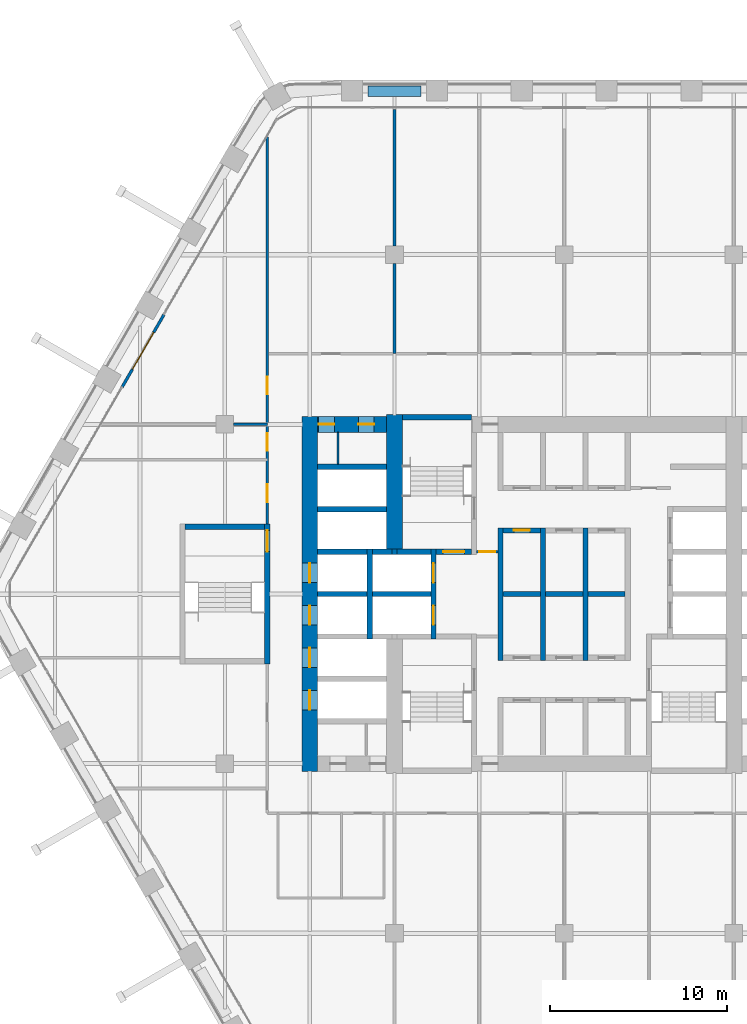
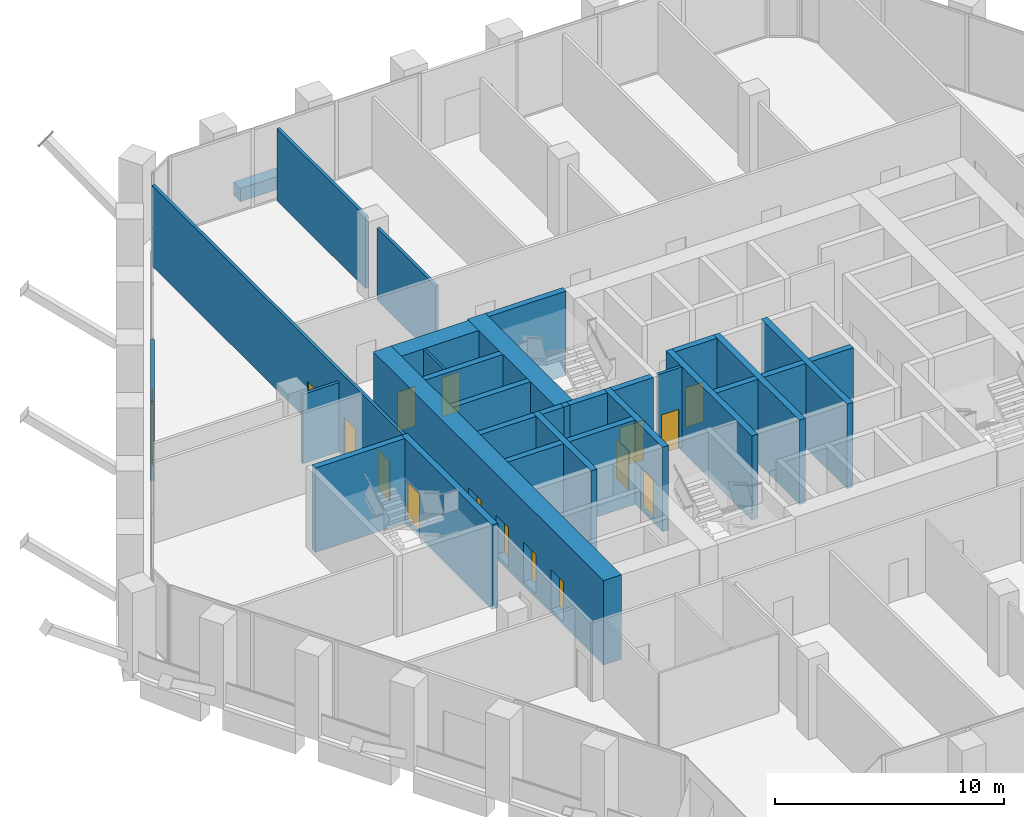
# One storey, part 17 of 27: 32 walls, 16 doors, 16 openings.
"""IFC4 building model written with IfcOpenShell, lengths in metres."""

from ifc_helpers import new_model, si_unit, direction, frame, frame_2d, origin, place, context, subcontext, project, spatial, rectangle, extrude, material, layer, layer_set, type_object, element, fill, save


model = new_model("IFC4")

# Units and contexts
model_context = context("Model", 3, precision=1e-05, world=origin(), true_north=direction((0.0, 1.0)))
body_context = subcontext(model_context, "Body", "Model", "MODEL_VIEW")
ifc_project = project(units=[si_unit("LENGTHUNIT", "METRE"), si_unit("AREAUNIT", "SQUARE_METRE"), si_unit("VOLUMEUNIT", "CUBIC_METRE"), si_unit("PLANEANGLEUNIT", "RADIAN"), si_unit("MASSUNIT", "GRAM", prefix="KILO")], contexts=[model_context])

# Site, building, storey
site_placement = place(None, origin())
site = spatial("IfcSite", under=ifc_project, at=site_placement, CompositionType="ELEMENT")
building_placement = place(site_placement, origin())
building = spatial("IfcBuilding", under=site, at=building_placement, Name="Kolab Exchange Tower", CompositionType="ELEMENT")
storey_placement = place(building_placement, frame((0.0, 0.0, 118.39990234375)))
storey = spatial("IfcBuildingStorey", under=building, at=storey_placement, Name="L23", CompositionType="ELEMENT", Elevation=118.39990234375)

# Wall, openings, doors
ifc_material_1 = material(Name="Concrete C70/85", Category="concrete")
ifc_layer_1 = layer(ifc_material_1, 0.89990234375)
ifc_layer_set_1 = layer_set([ifc_layer_1], Name="Concrete C70/85")
wall_type_1 = type_object("IfcWallType", Name="CORE WALL 900 C70/85", PredefinedType="SHEAR", material=ifc_layer_set_1)
wall_1_placement = place(storey_placement, frame((-13.949951171875, 9.60009765625, -0.199951171875), z_axis=(0.0, 0.0, 1.0), x_axis=(1.0, 0.0, 0.0)))
wall_1 = element("IfcWall", 1, at=wall_1_placement, inside=storey, type_object=wall_type_1, Name="wall/L23/core/051", PredefinedType="SHEAR", context=body_context, shape_type="SweptSolid", body=[
    extrude(rectangle(XDim=3.89990234375, YDim=0.89990234375, at=frame_2d((1.949951171875, 0.0))), origin(), (0.0, 0.0, 1.0), 4.5),
])
opening_1_placement = place(wall_1_placement, frame((0.050048828125, 0.0, 0.199951171875)))
opening_1 = element("IfcOpeningElement", 2, at=opening_1_placement, cuts=wall_1, Name="Opening D6-217", PredefinedType="OPENING", context=body_context, shape_type="SweptSolid", body=[
    extrude(rectangle(XDim=0.89990234375, YDim=2.10009765625, at=frame_2d((0.449951171875, 1.050048828125))), frame((0.0, 0.4599609375, 0.0), z_axis=(0.0, -1.0, 0.0), x_axis=(1.0, 0.0, 0.0)), (0.0, 0.0, 1.0), 0.919921875),
])
opening_2_placement = place(wall_1_placement, frame((2.300048828125, 0.0, 0.199951171875)))
opening_2 = element("IfcOpeningElement", 3, at=opening_2_placement, cuts=wall_1, Name="Opening D6-231", PredefinedType="OPENING", context=body_context, shape_type="SweptSolid", body=[
    extrude(rectangle(XDim=0.89990234375, YDim=2.10009765625, at=frame_2d((0.449951171875, 1.050048828125))), frame((0.0, 0.4599609375, 0.0), z_axis=(0.0, -1.0, 0.0), x_axis=(1.0, 0.0, 0.0)), (0.0, 0.0, 1.0), 0.919921875),
])
ifc_material_2 = material(Name="Steel S235", Category="steel")
door_type_1 = type_object("IfcDoorType", Name="CORE DOOR 900 EI 120", OperationType="SINGLE_SWING_LEFT", PredefinedType="DOOR", material=ifc_material_2)
door_1_placement = place(opening_1_placement, frame((0.89990234375, 0.0, 0.0), z_axis=(0.0, 0.0, 1.0), x_axis=(-1.0, 0.0, 0.0)))
door_1 = element("IfcDoor", 4, at=door_1_placement, inside=storey, type_object=door_type_1, Name="Service room door", OperationType="SINGLE_SWING_RIGHT", OverallHeight=2.10009765625, OverallWidth=0.89990234375, PredefinedType="DOOR", context=body_context, shape_type="SweptSolid", body=[
    extrude(rectangle(XDim=0.89990234375, YDim=2.10009765625, at=frame_2d((0.449951171875, 1.050048828125))), frame((0.0, 0.02490234375, 0.0), z_axis=(0.0, -1.0, 0.0), x_axis=(1.0, 0.0, 0.0)), (0.0, 0.0, 1.0), 0.050048828125),
])
fill(opening_1, door_1)
door_2_placement = place(opening_2_placement, frame((0.89990234375, 0.0, 0.0), z_axis=(0.0, 0.0, 1.0), x_axis=(-1.0, 0.0, 0.0)))
door_2 = element("IfcDoor", 5, at=door_2_placement, inside=storey, type_object=door_type_1, Name="Service room door", OperationType="SINGLE_SWING_RIGHT", OverallHeight=2.10009765625, OverallWidth=0.89990234375, PredefinedType="DOOR", context=body_context, shape_type="SweptSolid", body=[
    extrude(rectangle(XDim=0.89990234375, YDim=2.10009765625, at=frame_2d((0.449951171875, 1.050048828125))), frame((0.0, 0.02490234375, 0.0), z_axis=(0.0, -1.0, 0.0), x_axis=(1.0, 0.0, 0.0)), (0.0, 0.0, 1.0), 0.050048828125),
])
fill(opening_2, door_2)

wall_2_placement = place(storey_placement, frame((-14.39990234375, -10.050048828125, -0.199951171875), z_axis=(0.0, 0.0, 1.0), x_axis=(0.0, 1.0, 0.0)))
wall_2 = element("IfcWall", 6, at=wall_2_placement, inside=storey, type_object=wall_type_1, Name="wall/L23/core/057", PredefinedType="SHEAR", context=body_context, shape_type="SweptSolid", body=[
    extrude(rectangle(XDim=20.10009765625, YDim=0.89990234375, at=frame_2d((10.050048828125, 0.0))), origin(), (0.0, 0.0, 1.0), 4.5),
])
opening_3_placement = place(wall_2_placement, frame((3.5, 0.0, 0.199951171875)))
opening_3 = element("IfcOpeningElement", 7, at=opening_3_placement, cuts=wall_2, Name="Opening LD1-073", PredefinedType="OPENING", context=body_context, shape_type="SweptSolid", body=[
    extrude(rectangle(XDim=1.10009765625, YDim=2.10009765625, at=frame_2d((0.550048828125, 1.050048828125))), frame((0.0, 0.4599609375, 0.0), z_axis=(0.0, -1.0, 0.0), x_axis=(1.0, 0.0, 0.0)), (0.0, 0.0, 1.0), 0.919921875),
])
opening_4_placement = place(wall_2_placement, frame((5.89990234375, 0.0, 0.199951171875)))
opening_4 = element("IfcOpeningElement", 8, at=opening_4_placement, cuts=wall_2, Name="Opening LD1-074", PredefinedType="OPENING", context=body_context, shape_type="SweptSolid", body=[
    extrude(rectangle(XDim=1.10009765625, YDim=2.10009765625, at=frame_2d((0.550048828125, 1.050048828125))), frame((0.0, 0.4599609375, 0.0), z_axis=(0.0, -1.0, 0.0), x_axis=(1.0, 0.0, 0.0)), (0.0, 0.0, 1.0), 0.919921875),
])
opening_5_placement = place(wall_2_placement, frame((8.300048828125, 0.0, 0.199951171875)))
opening_5 = element("IfcOpeningElement", 9, at=opening_5_placement, cuts=wall_2, Name="Opening LD1-075", PredefinedType="OPENING", context=body_context, shape_type="SweptSolid", body=[
    extrude(rectangle(XDim=1.10009765625, YDim=2.10009765625, at=frame_2d((0.550048828125, 1.050048828125))), frame((0.0, 0.4599609375, 0.0), z_axis=(0.0, -1.0, 0.0), x_axis=(1.0, 0.0, 0.0)), (0.0, 0.0, 1.0), 0.919921875),
])
opening_6_placement = place(wall_2_placement, frame((10.699951171875, 0.0, 0.199951171875)))
opening_6 = element("IfcOpeningElement", 10, at=opening_6_placement, cuts=wall_2, Name="Opening LD1-076", PredefinedType="OPENING", context=body_context, shape_type="SweptSolid", body=[
    extrude(rectangle(XDim=1.10009765625, YDim=2.10009765625, at=frame_2d((0.550048828125, 1.050048828125))), frame((0.0, 0.4599609375, 0.0), z_axis=(0.0, -1.0, 0.0), x_axis=(1.0, 0.0, 0.0)), (0.0, 0.0, 1.0), 0.919921875),
])
ifc_material_3 = material(Name="Stainless steel 316", Category="steel")
door_type_2 = type_object("IfcDoorType", Name="LANDING DOOR 1100 PASSENGER", OperationType="DOUBLE_DOOR_SLIDING", PredefinedType="DOOR", material=ifc_material_3)
door_3_placement = place(opening_3_placement, origin())
door_3 = element("IfcDoor", 11, at=door_3_placement, inside=storey, type_object=door_type_2, Name="Landing door LR5", OperationType="DOUBLE_DOOR_SLIDING", OverallHeight=2.10009765625, OverallWidth=1.10009765625, PredefinedType="DOOR", context=body_context, shape_type="SweptSolid", body=[
    extrude(rectangle(XDim=1.10009765625, YDim=2.10009765625, at=frame_2d((0.550048828125, 1.050048828125))), frame((0.0, 0.02490234375, 0.0), z_axis=(0.0, -1.0, 0.0), x_axis=(1.0, 0.0, 0.0)), (0.0, 0.0, 1.0), 0.050048828125),
])
fill(opening_3, door_3)
door_4_placement = place(opening_4_placement, origin())
door_4 = element("IfcDoor", 12, at=door_4_placement, inside=storey, type_object=door_type_2, Name="Landing door LR6", OperationType="DOUBLE_DOOR_SLIDING", OverallHeight=2.10009765625, OverallWidth=1.10009765625, PredefinedType="DOOR", context=body_context, shape_type="SweptSolid", body=[
    extrude(rectangle(XDim=1.10009765625, YDim=2.10009765625, at=frame_2d((0.550048828125, 1.050048828125))), frame((0.0, 0.02490234375, 0.0), z_axis=(0.0, -1.0, 0.0), x_axis=(1.0, 0.0, 0.0)), (0.0, 0.0, 1.0), 0.050048828125),
])
fill(opening_4, door_4)
door_5_placement = place(opening_5_placement, origin())
door_5 = element("IfcDoor", 13, at=door_5_placement, inside=storey, type_object=door_type_2, Name="Landing door LR7", OperationType="DOUBLE_DOOR_SLIDING", OverallHeight=2.10009765625, OverallWidth=1.10009765625, PredefinedType="DOOR", context=body_context, shape_type="SweptSolid", body=[
    extrude(rectangle(XDim=1.10009765625, YDim=2.10009765625, at=frame_2d((0.550048828125, 1.050048828125))), frame((0.0, 0.02490234375, 0.0), z_axis=(0.0, -1.0, 0.0), x_axis=(1.0, 0.0, 0.0)), (0.0, 0.0, 1.0), 0.050048828125),
])
fill(opening_5, door_5)
door_6_placement = place(opening_6_placement, origin())
door_6 = element("IfcDoor", 14, at=door_6_placement, inside=storey, type_object=door_type_2, Name="Landing door LR8", OperationType="DOUBLE_DOOR_SLIDING", OverallHeight=2.10009765625, OverallWidth=1.10009765625, PredefinedType="DOOR", context=body_context, shape_type="SweptSolid", body=[
    extrude(rectangle(XDim=1.10009765625, YDim=2.10009765625, at=frame_2d((0.550048828125, 1.050048828125))), frame((0.0, 0.02490234375, 0.0), z_axis=(0.0, -1.0, 0.0), x_axis=(1.0, 0.0, 0.0)), (0.0, 0.0, 1.0), 0.050048828125),
])
fill(opening_6, door_6)

# Wall
wall_3_placement = place(storey_placement, frame((-9.60009765625, 2.550048828125, -0.199951171875), z_axis=(0.0, 0.0, 1.0), x_axis=(0.0, 1.0, 0.0)))
element("IfcWall", 15, at=wall_3_placement, inside=storey, type_object=wall_type_1, Name="wall/L23/core/062", PredefinedType="SHEAR", context=body_context, shape_type="SweptSolid", body=[
    extrude(rectangle(XDim=7.599853515625, YDim=0.89990234375, at=frame_2d((3.7998046875, 0.0))), origin(), (0.0, 0.0, 1.0), 4.5),
])

# Wall, opening, door
ifc_material_4 = material(Name="Aluminium EN AW-6063 T6", Category="aluminium")
ifc_layer_2 = layer(ifc_material_4, 0.159912109375)
ifc_layer_set_2 = layer_set([ifc_layer_2], Name="Aluminium EN AW-6063 T6")
wall_type_2 = type_object("IfcWallType", Name="DOOR SURROUND WALL 160 ALUMINIUM FRAMED", PredefinedType="PARTITIONING", material=ifc_layer_set_2)
wall_4_placement = place(storey_placement, frame((-25.0166015625, 11.706787109375, 0.0), z_axis=(0.0, 0.0, 1.0), x_axis=(0.499978080042, 0.866038058908, 0.0)))
wall_4 = element("IfcWall", 16, at=wall_4_placement, inside=storey, type_object=wall_type_2, Name="Door surround wall", PredefinedType="PARTITIONING", context=body_context, shape_type="SweptSolid", body=[
    extrude(rectangle(XDim=4.739990234375, YDim=0.159912109375, at=frame_2d((2.3701171875, 0.0))), origin(), (0.0, 0.0, 1.0), 4.2001953125),
])
opening_7_placement = place(wall_4_placement, frame((1.169921875, 0.0, 0.0)))
opening_7 = element("IfcOpeningElement", 17, at=opening_7_placement, cuts=wall_4, Name="Opening GD1-048", PredefinedType="OPENING", context=body_context, shape_type="SweptSolid", body=[
    extrude(rectangle(XDim=2.39990234375, YDim=2.39990234375, at=frame_2d((1.199951171875, 1.199951171875))), frame((0.0, 0.08984375, 0.0), z_axis=(0.0, -1.0, 0.0), x_axis=(1.0, 0.0, 0.0)), (0.0, 0.0, 1.0), 0.179931640625),
])
door_type_3 = type_object("IfcDoorType", Name="LOGGIA SLIDING GLASS DOOR 2400 X 2400", OperationType="DOUBLE_DOOR_SINGLE_SWING", PredefinedType="DOOR", material=ifc_material_4)
door_7_placement = place(opening_7_placement, origin())
door_7 = element("IfcDoor", 18, at=door_7_placement, inside=storey, type_object=door_type_3, Name="Loggia door", OperationType="DOUBLE_DOOR_SLIDING", OverallHeight=2.39990234375, OverallWidth=2.39990234375, PredefinedType="DOOR", context=body_context, shape_type="SweptSolid", body=[
    extrude(rectangle(XDim=2.39990234375, YDim=2.39990234375, at=frame_2d((1.199951171875, 1.199951171875))), frame((0.0, 0.02490234375, 0.0), z_axis=(0.0, -1.0, 0.0), x_axis=(1.0, 0.0, 0.0)), (0.0, 0.0, 1.0), 0.050048828125),
])
fill(opening_7, door_7)

# Walls
ifc_material_5 = material(Name="Concrete C50/60", Category="concrete")
ifc_layer_3 = layer(ifc_material_5, 0.300048828125)
ifc_layer_set_3 = layer_set([ifc_layer_3], Name="Concrete C50/60")
wall_type_3 = type_object("IfcWallType", Name="LIFT SHAFT WALL 300 C50/60", PredefinedType="STANDARD", material=ifc_layer_set_3)
wall_5_placement = place(storey_placement, frame((-13.949951171875, 0.0, -0.199951171875), z_axis=(0.0, 0.0, 1.0), x_axis=(1.0, 0.0, 0.0)))
element("IfcWall", 19, at=wall_5_placement, inside=storey, type_object=wall_type_3, Name="wall/L23/core/024", PredefinedType="STANDARD", context=body_context, shape_type="SweptSolid", body=[
    extrude(rectangle(XDim=2.800048828125, YDim=0.300048828125, at=frame_2d((1.39990234375, 0.0))), origin(), (0.0, 0.0, 1.0), 4.5),
])
wall_6_placement = place(storey_placement, frame((-10.85009765625, 0.0, -0.199951171875), z_axis=(0.0, 0.0, 1.0), x_axis=(1.0, 0.0, 0.0)))
element("IfcWall", 20, at=wall_6_placement, inside=storey, type_object=wall_type_3, Name="wall/L23/core/025", PredefinedType="STANDARD", context=body_context, shape_type="SweptSolid", body=[
    extrude(rectangle(XDim=3.300048828125, YDim=0.300048828125, at=frame_2d((1.64990234375, 0.0))), origin(), (0.0, 0.0, 1.0), 4.5),
])
wall_7_placement = place(storey_placement, frame((-3.449951171875, 0.0, -0.199951171875), z_axis=(0.0, 0.0, 1.0), x_axis=(1.0, 0.0, 0.0)))
element("IfcWall", 21, at=wall_7_placement, inside=storey, type_object=wall_type_3, Name="wall/L23/core/026", PredefinedType="STANDARD", context=body_context, shape_type="SweptSolid", body=[
    extrude(rectangle(XDim=2.099853515625, YDim=0.300048828125, at=frame_2d((1.0498046875, 0.0))), origin(), (0.0, 0.0, 1.0), 4.5),
])
wall_8_placement = place(storey_placement, frame((-1.050048828125, 0.0, -0.199951171875), z_axis=(0.0, 0.0, 1.0), x_axis=(1.0, 0.0, 0.0)))
element("IfcWall", 22, at=wall_8_placement, inside=storey, type_object=wall_type_3, Name="wall/L23/core/027", PredefinedType="STANDARD", context=body_context, shape_type="SweptSolid", body=[
    extrude(rectangle(XDim=2.10009765625, YDim=0.300048828125, at=frame_2d((1.050048828125, 0.0))), origin(), (0.0, 0.0, 1.0), 4.5),
])
wall_9_placement = place(storey_placement, frame((1.35009765625, 0.0, -0.199951171875), z_axis=(0.0, 0.0, 1.0), x_axis=(1.0, 0.0, 0.0)))
element("IfcWall", 23, at=wall_9_placement, inside=storey, type_object=wall_type_3, Name="wall/L23/core/028", PredefinedType="STANDARD", context=body_context, shape_type="SweptSolid", body=[
    extrude(rectangle(XDim=2.099853515625, YDim=0.300048828125, at=frame_2d((1.0498046875, 0.0))), origin(), (0.0, 0.0, 1.0), 4.5),
])
wall_10_placement = place(storey_placement, frame((-13.949951171875, 2.39990234375, -0.199951171875), z_axis=(0.0, 0.0, 1.0), x_axis=(1.0, 0.0, 0.0)))
element("IfcWall", 24, at=wall_10_placement, inside=storey, type_object=wall_type_3, Name="wall/L23/core/031", PredefinedType="STANDARD", context=body_context, shape_type="SweptSolid", body=[
    extrude(rectangle(XDim=2.800048828125, YDim=0.300048828125, at=frame_2d((1.39990234375, 0.0))), origin(), (0.0, 0.0, 1.0), 4.5),
])
wall_11_placement = place(storey_placement, frame((-10.85009765625, 2.39990234375, -0.199951171875), z_axis=(0.0, 0.0, 1.0), x_axis=(1.0, 0.0, 0.0)))
element("IfcWall", 25, at=wall_11_placement, inside=storey, type_object=wall_type_3, Name="wall/L23/core/032", PredefinedType="STANDARD", context=body_context, shape_type="SweptSolid", body=[
    extrude(rectangle(XDim=1.10009765625, YDim=0.300048828125, at=frame_2d((0.550048828125, 0.0))), origin(), (0.0, 0.0, 1.0), 4.5),
])

# Wall, opening, door
wall_12_placement = place(storey_placement, frame((-3.449951171875, 3.60009765625, -0.199951171875), z_axis=(0.0, 0.0, 1.0), x_axis=(1.0, 0.0, 0.0)))
wall_12 = element("IfcWall", 26, at=wall_12_placement, inside=storey, type_object=wall_type_3, Name="wall/L23/core/037", PredefinedType="STANDARD", context=body_context, shape_type="SweptSolid", body=[
    extrude(rectangle(XDim=2.099853515625, YDim=0.300048828125, at=frame_2d((1.0498046875, 0.0))), origin(), (0.0, 0.0, 1.0), 4.5),
])
opening_8_placement = place(wall_12_placement, frame((0.60009765625, 0.0, 0.199951171875)))
opening_8 = element("IfcOpeningElement", 27, at=opening_8_placement, cuts=wall_12, Name="Opening D6-196", PredefinedType="OPENING", context=body_context, shape_type="SweptSolid", body=[
    extrude(rectangle(XDim=0.89990234375, YDim=2.10009765625, at=frame_2d((0.449951171875, 1.050048828125))), frame((0.0, 0.16015625, 0.0), z_axis=(0.0, -1.0, 0.0), x_axis=(1.0, 0.0, 0.0)), (0.0, 0.0, 1.0), 0.320068359375),
])
door_8_placement = place(opening_8_placement, frame((0.89990234375, 0.0, 0.0), z_axis=(0.0, 0.0, 1.0), x_axis=(-1.0, 0.0, 0.0)))
door_8 = element("IfcDoor", 28, at=door_8_placement, inside=storey, type_object=door_type_1, Name="Service room door", OperationType="SINGLE_SWING_LEFT", OverallHeight=2.10009765625, OverallWidth=0.89990234375, PredefinedType="DOOR", context=body_context, shape_type="SweptSolid", body=[
    extrude(rectangle(XDim=0.89990234375, YDim=2.10009765625, at=frame_2d((0.449951171875, 1.050048828125))), frame((0.0, 0.02490234375, 0.0), z_axis=(0.0, -1.0, 0.0), x_axis=(1.0, 0.0, 0.0)), (0.0, 0.0, 1.0), 0.050048828125),
])
fill(opening_8, door_8)

# Walls
for number, where, z_axis, x_axis, name in (
    (29, (-13.949951171875, 4.800048828125, -0.199951171875), (0.0, 0.0, 1.0), (1.0, 0.0, 0.0), "wall/L23/core/042"),
    (30, (-13.949951171875, 7.199951171875, -0.199951171875), (0.0, 0.0, 1.0), (1.0, 0.0, 0.0), "wall/L23/core/048"),
):
    element("IfcWall", number, at=place(storey_placement, frame(where, z_axis=z_axis, x_axis=x_axis)), inside=storey, type_object=wall_type_3, Name=name, PredefinedType="STANDARD", context=body_context, shape_type="SweptSolid", body=[
        extrude(rectangle(XDim=3.89990234375, YDim=0.300048828125, at=frame_2d((1.949951171875, 0.0))), origin(), (0.0, 0.0, 1.0), 4.5),
    ])
wall_13_placement = place(storey_placement, frame((-11.0, -2.550048828125, -0.199951171875), z_axis=(0.0, 0.0, 1.0), x_axis=(0.0, 1.0, 0.0)))
element("IfcWall", 31, at=wall_13_placement, inside=storey, type_object=wall_type_3, Name="wall/L23/core/058", PredefinedType="STANDARD", context=body_context, shape_type="SweptSolid", body=[
    extrude(rectangle(XDim=5.10009765625, YDim=0.300048828125, at=frame_2d((2.550048828125, 0.0))), origin(), (0.0, 0.0, 1.0), 4.5),
])

# Wall, openings, doors
wall_14_placement = place(storey_placement, frame((-7.39990234375, -2.550048828125, -0.199951171875), z_axis=(0.0, 0.0, 1.0), x_axis=(0.0, 1.0, 0.0)))
wall_14 = element("IfcWall", 32, at=wall_14_placement, inside=storey, type_object=wall_type_3, Name="wall/L23/core/063", PredefinedType="STANDARD", context=body_context, shape_type="SweptSolid", body=[
    extrude(rectangle(XDim=5.10009765625, YDim=0.300048828125, at=frame_2d((2.550048828125, 0.0))), origin(), (0.0, 0.0, 1.0), 4.5),
])
opening_9_placement = place(wall_14_placement, frame((0.800048828125, 0.0, 0.199951171875)))
opening_9 = element("IfcOpeningElement", 33, at=opening_9_placement, cuts=wall_14, Name="Opening LD2-017", PredefinedType="OPENING", context=body_context, shape_type="SweptSolid", body=[
    extrude(rectangle(XDim=1.10009765625, YDim=2.10009765625, at=frame_2d((0.550048828125, 1.050048828125))), frame((0.0, 0.16015625, 0.0), z_axis=(0.0, -1.0, 0.0), x_axis=(1.0, 0.0, 0.0)), (0.0, 0.0, 1.0), 0.320068359375),
])
opening_10_placement = place(wall_14_placement, frame((3.199951171875, 0.0, 0.199951171875)))
opening_10 = element("IfcOpeningElement", 34, at=opening_10_placement, cuts=wall_14, Name="Opening LD2-018", PredefinedType="OPENING", context=body_context, shape_type="SweptSolid", body=[
    extrude(rectangle(XDim=1.10009765625, YDim=2.10009765625, at=frame_2d((0.550048828125, 1.050048828125))), frame((0.0, 0.16015625, 0.0), z_axis=(0.0, -1.0, 0.0), x_axis=(1.0, 0.0, 0.0)), (0.0, 0.0, 1.0), 0.320068359375),
])
door_type_4 = type_object("IfcDoorType", Name="LANDING DOOR 1100 FIREFIGHTING", OperationType="DOUBLE_DOOR_SLIDING", PredefinedType="DOOR", material=ifc_material_3)
door_9_placement = place(opening_9_placement, origin())
door_9 = element("IfcDoor", 35, at=door_9_placement, inside=storey, type_object=door_type_4, Name="Landing door FF1", OperationType="DOUBLE_DOOR_SLIDING", OverallHeight=2.10009765625, OverallWidth=1.10009765625, PredefinedType="DOOR", context=body_context, shape_type="SweptSolid", body=[
    extrude(rectangle(XDim=1.10009765625, YDim=2.10009765625, at=frame_2d((0.550048828125, 1.050048828125))), frame((0.0, 0.02490234375, 0.0), z_axis=(0.0, -1.0, 0.0), x_axis=(1.0, 0.0, 0.0)), (0.0, 0.0, 1.0), 0.050048828125),
])
fill(opening_9, door_9)
door_10_placement = place(opening_10_placement, origin())
door_10 = element("IfcDoor", 36, at=door_10_placement, inside=storey, type_object=door_type_4, Name="Landing door FF2", OperationType="DOUBLE_DOOR_SLIDING", OverallHeight=2.10009765625, OverallWidth=1.10009765625, PredefinedType="DOOR", context=body_context, shape_type="SweptSolid", body=[
    extrude(rectangle(XDim=1.10009765625, YDim=2.10009765625, at=frame_2d((0.550048828125, 1.050048828125))), frame((0.0, 0.02490234375, 0.0), z_axis=(0.0, -1.0, 0.0), x_axis=(1.0, 0.0, 0.0)), (0.0, 0.0, 1.0), 0.050048828125),
])
fill(opening_10, door_10)

# Walls
for number, where, z_axis, x_axis, name in (
    (37, (-3.60009765625, -3.75, -0.199951171875), (0.0, 0.0, 1.0), (0.0, 1.0, 0.0), "wall/L23/core/067"),
    (38, (-1.199951171875, -3.75, -0.199951171875), (0.0, 0.0, 1.0), (0.0, 1.0, 0.0), "wall/L23/core/070"),
    (39, (1.199951171875, -3.75, -0.199951171875), (0.0, 0.0, 1.0), (0.0, 1.0, 0.0), "wall/L23/core/073"),
):
    element("IfcWall", number, at=place(storey_placement, frame(where, z_axis=z_axis, x_axis=x_axis)), inside=storey, type_object=wall_type_3, Name=name, PredefinedType="STANDARD", context=body_context, shape_type="SweptSolid", body=[
        extrude(rectangle(XDim=7.5, YDim=0.300048828125, at=frame_2d((3.75, 0.0))), origin(), (0.0, 0.0, 1.0), 4.5),
    ])
ifc_material_6 = material(Name="Gypsum board", Category="gypsum")
ifc_layer_4 = layer(ifc_material_6, 0.10009765625)
ifc_layer_set_4 = layer_set([ifc_layer_4], Name="Gypsum board")
wall_type_4 = type_object("IfcWallType", Name="PARTITION 100", PredefinedType="PARTITIONING", material=ifc_layer_set_4)
wall_15_placement = place(storey_placement, frame((-12.800048828125, 7.35009765625, 0.0), z_axis=(0.0, 0.0, 1.0), x_axis=(0.0, 1.0, 0.0)))
element("IfcWall", 40, at=wall_15_placement, inside=storey, type_object=wall_type_4, Name="Partition 022", PredefinedType="PARTITIONING", context=body_context, shape_type="SweptSolid", body=[
    extrude(rectangle(XDim=1.7998046875, YDim=0.10009765625, at=frame_2d((0.89990234375, 0.0))), origin(), (0.0, 0.0, 1.0), 4.300048828125),
])
ifc_layer_5 = layer(ifc_material_6, 0.14990234375)
ifc_layer_set_5 = layer_set([ifc_layer_5], Name="Gypsum board")
wall_type_5 = type_object("IfcWallType", Name="PARTITION 150 FIRE-RATED", PredefinedType="PARTITIONING", material=ifc_layer_set_5)
wall_16_placement = place(storey_placement, frame((-9.60009765625, 13.60009765625, 0.0), z_axis=(0.0, 0.0, 1.0), x_axis=(0.0, 1.0, 0.0)))
element("IfcWall", 41, at=wall_16_placement, inside=storey, type_object=wall_type_5, Name="Partition 017", PredefinedType="PARTITIONING", context=body_context, shape_type="SweptSolid", body=[
    extrude(rectangle(XDim=5.099853515625, YDim=0.14990234375, at=frame_2d((2.5498046875, 0.0))), origin(), (0.0, 0.0, 1.0), 3.843017578125),
])
wall_17_placement = place(storey_placement, frame((-9.60009765625, 19.699951171875, 0.0), z_axis=(0.0, 0.0, 1.0), x_axis=(0.0, 1.0, 0.0)))
element("IfcWall", 42, at=wall_17_placement, inside=storey, type_object=wall_type_5, Name="Partition 018", PredefinedType="PARTITIONING", context=body_context, shape_type="SweptSolid", body=[
    extrude(rectangle(XDim=7.728515625, YDim=0.14990234375, at=frame_2d((3.8642578125, 0.0))), origin(), (0.0, 0.0, 1.0), 3.843017578125),
])

# Wall, openings, doors
wall_18_placement = place(storey_placement, frame((-16.800048828125, 3.949951171875, 0.0), z_axis=(0.0, 0.0, 1.0), x_axis=(0.0, 1.0, 0.0)))
wall_18 = element("IfcWall", 43, at=wall_18_placement, inside=storey, type_object=wall_type_5, Name="Partition 025", PredefinedType="PARTITIONING", context=body_context, shape_type="SweptSolid", body=[
    extrude(rectangle(XDim=21.908447265625, YDim=0.14990234375, at=frame_2d((10.9541015625, 0.0))), origin(), (0.0, 0.0, 1.0), 4.300048828125),
])
opening_11_placement = place(wall_18_placement, frame((1.25, 0.0, 0.0)))
opening_11 = element("IfcOpeningElement", 44, at=opening_11_placement, cuts=wall_18, Name="Opening D1-320", PredefinedType="OPENING", context=body_context, shape_type="SweptSolid", body=[
    extrude(rectangle(XDim=1.0, YDim=2.10009765625, at=frame_2d((0.5, 1.050048828125))), frame((0.0, 0.0849609375, 0.0), z_axis=(0.0, -1.0, 0.0), x_axis=(1.0, 0.0, 0.0)), (0.0, 0.0, 1.0), 0.169921875),
])
opening_12_placement = place(wall_18_placement, frame((4.14990234375, 0.0, 0.0)))
opening_12 = element("IfcOpeningElement", 45, at=opening_12_placement, cuts=wall_18, Name="Opening D1-321", PredefinedType="OPENING", context=body_context, shape_type="SweptSolid", body=[
    extrude(rectangle(XDim=1.0, YDim=2.10009765625, at=frame_2d((0.5, 1.050048828125))), frame((0.0, 0.0849609375, 0.0), z_axis=(0.0, -1.0, 0.0), x_axis=(1.0, 0.0, 0.0)), (0.0, 0.0, 1.0), 0.169921875),
])
opening_13_placement = place(wall_18_placement, frame((7.35009765625, 0.0, 0.0)))
opening_13 = element("IfcOpeningElement", 46, at=opening_13_placement, cuts=wall_18, Name="Opening D1-322", PredefinedType="OPENING", context=body_context, shape_type="SweptSolid", body=[
    extrude(rectangle(XDim=1.0, YDim=2.10009765625, at=frame_2d((0.5, 1.050048828125))), frame((0.0, 0.0849609375, 0.0), z_axis=(0.0, -1.0, 0.0), x_axis=(1.0, 0.0, 0.0)), (0.0, 0.0, 1.0), 0.169921875),
])
door_type_5 = type_object("IfcDoorType", Name="FLUSH DOOR 1000 FD60", OperationType="SINGLE_SWING_LEFT", PredefinedType="DOOR", material=ifc_material_2)
door_11_placement = place(opening_11_placement, origin())
door_11 = element("IfcDoor", 47, at=door_11_placement, inside=storey, type_object=door_type_5, Name="Door L23-067", OperationType="SINGLE_SWING_RIGHT", OverallHeight=2.10009765625, OverallWidth=1.0, PredefinedType="DOOR", context=body_context, shape_type="SweptSolid", body=[
    extrude(rectangle(XDim=1.0, YDim=2.10009765625, at=frame_2d((0.5, 1.050048828125))), frame((0.0, 0.02490234375, 0.0), z_axis=(0.0, -1.0, 0.0), x_axis=(1.0, 0.0, 0.0)), (0.0, 0.0, 1.0), 0.050048828125),
])
fill(opening_11, door_11)
door_12_placement = place(opening_12_placement, origin())
door_12 = element("IfcDoor", 48, at=door_12_placement, inside=storey, type_object=door_type_5, Name="Door L23-068", OperationType="SINGLE_SWING_RIGHT", OverallHeight=2.10009765625, OverallWidth=1.0, PredefinedType="DOOR", context=body_context, shape_type="SweptSolid", body=[
    extrude(rectangle(XDim=1.0, YDim=2.10009765625, at=frame_2d((0.5, 1.050048828125))), frame((0.0, 0.02490234375, 0.0), z_axis=(0.0, -1.0, 0.0), x_axis=(1.0, 0.0, 0.0)), (0.0, 0.0, 1.0), 0.050048828125),
])
fill(opening_12, door_12)
door_13_placement = place(opening_13_placement, origin())
door_13 = element("IfcDoor", 49, at=door_13_placement, inside=storey, type_object=door_type_5, Name="Door L23-069", OperationType="SINGLE_SWING_LEFT", OverallHeight=2.10009765625, OverallWidth=1.0, PredefinedType="DOOR", context=body_context, shape_type="SweptSolid", body=[
    extrude(rectangle(XDim=1.0, YDim=2.10009765625, at=frame_2d((0.5, 1.050048828125))), frame((0.0, 0.02490234375, 0.0), z_axis=(0.0, -1.0, 0.0), x_axis=(1.0, 0.0, 0.0)), (0.0, 0.0, 1.0), 0.050048828125),
])
fill(opening_13, door_13)

# Wall
wall_19_placement = place(storey_placement, frame((-18.699951171875, 9.60009765625, 0.0), z_axis=(0.0, 0.0, 1.0), x_axis=(1.0, 0.0, 0.0)))
element("IfcWall", 50, at=wall_19_placement, inside=storey, type_object=wall_type_5, Name="Partition 039", PredefinedType="PARTITIONING", context=body_context, shape_type="SweptSolid", body=[
    extrude(rectangle(XDim=1.89990234375, YDim=0.14990234375, at=frame_2d((0.949951171875, 0.0))), origin(), (0.0, 0.0, 1.0), 3.692138671875),
])

# Wall, opening, door
wall_20_placement = place(storey_placement, frame((-4.949951171875, 2.39990234375, 0.0), z_axis=(0.0, 0.0, 1.0), x_axis=(1.0, 0.0, 0.0)))
wall_20 = element("IfcWall", 51, at=wall_20_placement, inside=storey, type_object=wall_type_5, Name="Fire partition", PredefinedType="PARTITIONING", context=body_context, shape_type="SweptSolid", body=[
    extrude(rectangle(XDim=1.199951171875, YDim=0.14990234375, at=frame_2d((0.60009765625, 0.0))), origin(), (0.0, 0.0, 1.0), 4.300048828125),
])
opening_14_placement = place(wall_20_placement, frame((0.14990234375, 0.0, 0.0)))
opening_14 = element("IfcOpeningElement", 52, at=opening_14_placement, cuts=wall_20, Name="Opening D6-204", PredefinedType="OPENING", context=body_context, shape_type="SweptSolid", body=[
    extrude(rectangle(XDim=0.89990234375, YDim=2.10009765625, at=frame_2d((0.449951171875, 1.050048828125))), frame((0.0, 0.0849609375, 0.0), z_axis=(0.0, -1.0, 0.0), x_axis=(1.0, 0.0, 0.0)), (0.0, 0.0, 1.0), 0.169921875),
])
door_14_placement = place(opening_14_placement, frame((0.89990234375, 0.0, 0.0), z_axis=(0.0, 0.0, 1.0), x_axis=(-1.0, 0.0, 0.0)))
door_14 = element("IfcDoor", 53, at=door_14_placement, inside=storey, type_object=door_type_1, Name="Firefighting lobby door", OperationType="SINGLE_SWING_RIGHT", OverallHeight=2.10009765625, OverallWidth=0.89990234375, PredefinedType="DOOR", context=body_context, shape_type="SweptSolid", body=[
    extrude(rectangle(XDim=0.89990234375, YDim=2.10009765625, at=frame_2d((0.449951171875, 1.050048828125))), frame((0.0, 0.02490234375, 0.0), z_axis=(0.0, -1.0, 0.0), x_axis=(1.0, 0.0, 0.0)), (0.0, 0.0, 1.0), 0.050048828125),
])
fill(opening_14, door_14)

# Walls
ifc_material_7 = material(Name="Granite facing", Category="masonry")
ifc_layer_6 = layer(ifc_material_7, 0.0400390625)
ifc_material_8 = material(Name="Concrete C40/50 precast", Category="concrete")
ifc_layer_7 = layer(ifc_material_8, 0.56005859375)
ifc_layer_set_6 = layer_set([ifc_layer_6, ifc_layer_7], Name="Concrete C40/50 precast")
wall_type_6 = type_object("IfcWallType", Name="PLANTER BOX 600 X 700 SOIL DEPTH 550", PredefinedType="USERDEFINED", material=ifc_layer_set_6)
wall_21_placement = place(storey_placement, frame((-11.10009765625, 28.448486328125, 0.0), z_axis=(0.0, 0.0, 1.0), x_axis=(1.0, 0.0, 0.0)))
element("IfcWall", 54, at=wall_21_placement, inside=storey, type_object=wall_type_6, Name="Planter", ObjectType="PLANTER", PredefinedType="USERDEFINED", context=body_context, shape_type="SweptSolid", body=[
    extrude(rectangle(XDim=3.0, YDim=0.60009765625, at=frame_2d((1.5, 0.0))), origin(), (0.0, 0.0, 1.0), 0.7001953125),
])
ifc_layer_8 = layer(ifc_material_5, 0.300048828125)
ifc_layer_set_7 = layer_set([ifc_layer_8], Name="Concrete C50/60")
wall_type_7 = type_object("IfcWallType", Name="STAIR ENCLOSURE WALL 300 C50/60", PredefinedType="STANDARD", material=ifc_layer_set_7)
wall_22_placement = place(storey_placement, frame((-9.449951171875, 2.39990234375, -0.199951171875), z_axis=(0.0, 0.0, 1.0), x_axis=(1.0, 0.0, 0.0)))
element("IfcWall", 55, at=wall_22_placement, inside=storey, type_object=wall_type_7, Name="wall/L23/core/033", PredefinedType="STANDARD", context=body_context, shape_type="SweptSolid", body=[
    extrude(rectangle(XDim=1.89990234375, YDim=0.300048828125, at=frame_2d((0.949951171875, 0.0))), origin(), (0.0, 0.0, 1.0), 4.5),
])

# Wall, opening, door
wall_23_placement = place(storey_placement, frame((-7.25, 2.39990234375, -0.199951171875), z_axis=(0.0, 0.0, 1.0), x_axis=(1.0, 0.0, 0.0)))
wall_23 = element("IfcWall", 56, at=wall_23_placement, inside=storey, type_object=wall_type_7, Name="wall/L23/core/034", PredefinedType="STANDARD", context=body_context, shape_type="SweptSolid", body=[
    extrude(rectangle(XDim=2.0, YDim=0.300048828125, at=frame_2d((1.0, 0.0))), origin(), (0.0, 0.0, 1.0), 4.5),
])
opening_15_placement = place(wall_23_placement, frame((0.39990234375, 0.0, 0.199951171875)))
opening_15 = element("IfcOpeningElement", 57, at=opening_15_placement, cuts=wall_23, Name="Opening D4-043", PredefinedType="OPENING", context=body_context, shape_type="SweptSolid", body=[
    extrude(rectangle(XDim=1.199951171875, YDim=2.10009765625, at=frame_2d((0.60009765625, 1.050048828125))), frame((0.0, 0.16015625, 0.0), z_axis=(0.0, -1.0, 0.0), x_axis=(1.0, 0.0, 0.0)), (0.0, 0.0, 1.0), 0.320068359375),
])
door_type_6 = type_object("IfcDoorType", Name="STAIR DOOR 1200 EI 120", OperationType="SINGLE_SWING_LEFT", PredefinedType="DOOR", material=ifc_material_2)
door_15_placement = place(opening_15_placement, origin())
door_15 = element("IfcDoor", 58, at=door_15_placement, inside=storey, type_object=door_type_6, Name="Stair 1 door", OperationType="SINGLE_SWING_RIGHT", OverallHeight=2.10009765625, OverallWidth=1.199951171875, PredefinedType="DOOR", context=body_context, shape_type="SweptSolid", body=[
    extrude(rectangle(XDim=1.199951171875, YDim=2.10009765625, at=frame_2d((0.60009765625, 1.050048828125))), frame((0.0, 0.02490234375, 0.0), z_axis=(0.0, -1.0, 0.0), x_axis=(1.0, 0.0, 0.0)), (0.0, 0.0, 1.0), 0.050048828125),
])
fill(opening_15, door_15)

# Walls
wall_24_placement = place(storey_placement, frame((-21.449951171875, 3.800048828125, -0.199951171875), z_axis=(0.0, 0.0, 1.0), x_axis=(1.0, 0.0, 0.0)))
element("IfcWall", 59, at=wall_24_placement, inside=storey, type_object=wall_type_7, Name="wall/L23/core/040", PredefinedType="STANDARD", context=body_context, shape_type="SweptSolid", body=[
    extrude(rectangle(XDim=4.5, YDim=0.300048828125, at=frame_2d((2.25, 0.0))), origin(), (0.0, 0.0, 1.0), 4.5),
])
wall_25_placement = place(storey_placement, frame((-9.14990234375, 10.0, -0.199951171875), z_axis=(0.0, 0.0, 1.0), x_axis=(1.0, 0.0, 0.0)))
element("IfcWall", 60, at=wall_25_placement, inside=storey, type_object=wall_type_7, Name="wall/L23/core/054", PredefinedType="STANDARD", context=body_context, shape_type="SweptSolid", body=[
    extrude(rectangle(XDim=3.89990234375, YDim=0.300048828125, at=frame_2d((1.949951171875, 0.0))), origin(), (0.0, 0.0, 1.0), 4.5),
])

# Wall, opening, door
wall_26_placement = place(storey_placement, frame((-16.800048828125, -3.949951171875, -0.199951171875), z_axis=(0.0, 0.0, 1.0), x_axis=(0.0, 1.0, 0.0)))
wall_26 = element("IfcWall", 61, at=wall_26_placement, inside=storey, type_object=wall_type_7, Name="wall/L23/core/056", PredefinedType="STANDARD", context=body_context, shape_type="SweptSolid", body=[
    extrude(rectangle(XDim=7.89990234375, YDim=0.300048828125, at=frame_2d((3.949951171875, 0.0))), origin(), (0.0, 0.0, 1.0), 4.5),
])
opening_16_placement = place(wall_26_placement, frame((6.35009765625, 0.0, 0.199951171875)))
opening_16 = element("IfcOpeningElement", 62, at=opening_16_placement, cuts=wall_26, Name="Opening D4-048", PredefinedType="OPENING", context=body_context, shape_type="SweptSolid", body=[
    extrude(rectangle(XDim=1.199951171875, YDim=2.10009765625, at=frame_2d((0.60009765625, 1.050048828125))), frame((0.0, 0.16015625, 0.0), z_axis=(0.0, -1.0, 0.0), x_axis=(1.0, 0.0, 0.0)), (0.0, 0.0, 1.0), 0.320068359375),
])
door_16_placement = place(opening_16_placement, origin())
door_16 = element("IfcDoor", 63, at=door_16_placement, inside=storey, type_object=door_type_6, Name="Stair 5 door", OperationType="SINGLE_SWING_RIGHT", OverallHeight=2.10009765625, OverallWidth=1.199951171875, PredefinedType="DOOR", context=body_context, shape_type="SweptSolid", body=[
    extrude(rectangle(XDim=1.199951171875, YDim=2.10009765625, at=frame_2d((0.60009765625, 1.050048828125))), frame((0.0, 0.02490234375, 0.0), z_axis=(0.0, -1.0, 0.0), x_axis=(1.0, 0.0, 0.0)), (0.0, 0.0, 1.0), 0.050048828125),
])
fill(opening_16, door_16)

# Wall
wall_27_placement = place(storey_placement, frame((-9.60009765625, 2.25, -0.199951171875), z_axis=(0.0, 0.0, 1.0), x_axis=(0.0, 1.0, 0.0)))
element("IfcWall", 64, at=wall_27_placement, inside=storey, type_object=wall_type_7, Name="wall/L23/core/061", PredefinedType="STANDARD", context=body_context, shape_type="SweptSolid", body=[
    extrude(rectangle(XDim=0.300048828125, YDim=0.300048828125, at=frame_2d((0.14990234375, 0.0))), origin(), (0.0, 0.0, 1.0), 4.5),
])

save(model, "model.ifc")
